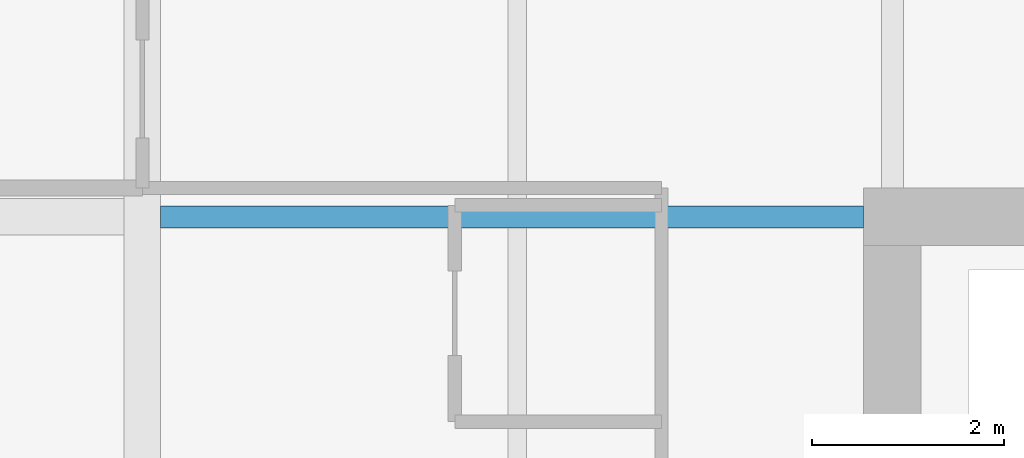
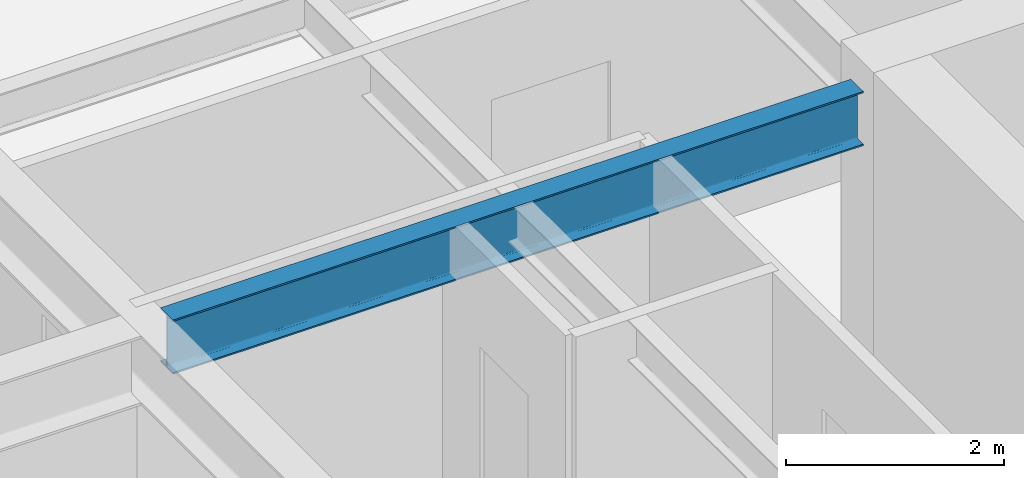
# One storey, part 18 of 37: 1 beam.
"""IFC4 building model written with IfcOpenShell, lengths in metres."""

from ifc_helpers import new_model, si_unit, direction, frame, origin, origin_2d, place, context, subcontext, project, spatial, i_section, extrude, material, material_profile, profile_set, type_object, element, save


model = new_model("IFC4")

# Units and contexts
model_context = context("Model", 3, precision=1e-05, world=origin(), true_north=direction((0.0, 1.0)))
body_context = subcontext(model_context, "Body", "Model", "MODEL_VIEW")
ifc_project = project(units=[si_unit("LENGTHUNIT", "METRE"), si_unit("AREAUNIT", "SQUARE_METRE"), si_unit("VOLUMEUNIT", "CUBIC_METRE"), si_unit("PLANEANGLEUNIT", "RADIAN"), si_unit("MASSUNIT", "GRAM", prefix="KILO")], contexts=[model_context])

# Site, building, storey
site_placement = place(None, origin())
site = spatial("IfcSite", under=ifc_project, at=site_placement, CompositionType="ELEMENT")
building_placement = place(site_placement, origin())
building = spatial("IfcBuilding", under=site, at=building_placement, Name="Drelvath Grand Hotel", CompositionType="ELEMENT")
storey_placement = place(building_placement, frame((0.0, 0.0, 78.699951171875)))
storey = spatial("IfcBuildingStorey", under=building, at=storey_placement, Name="L19", CompositionType="ELEMENT", Elevation=78.699951171875)

# Beam
ifc_material = material(Name="Steel ASTM A992 Gr 50", Category="steel")
ifc_material_profile = material_profile(ifc_material, i_section(OverallWidth=0.228271484375, OverallDepth=0.607666015625, WebThickness=0.01123046875, FlangeThickness=0.017333984375, FilletRadius=0.02001953125, at=origin_2d()), Name="W24X76")
ifc_profile_set = profile_set([ifc_material_profile], Name="Steel ASTM A992 Gr 50")
beam_type = type_object("IfcBeamType", Name="Primary Floor Girder W24X76", PredefinedType="BEAM", material=ifc_profile_set)
beam_placement = place(storey_placement, frame((-16.009765625, 35.39990234375, 2.876220703125), z_axis=(1.0, 0.0, 0.0), x_axis=(0.0, 1.0, 0.0)))
element("IfcBeam", 1, at=beam_placement, inside=storey, type_object=beam_type, Name="L19 West Core Tie F", PredefinedType="BEAM", context=body_context, shape_type="SweptSolid", body=[
    extrude(i_section(OverallWidth=0.228271484375, OverallDepth=0.607666015625, WebThickness=0.01123046875, FlangeThickness=0.017333984375, FilletRadius=0.02001953125, at=origin_2d()), origin(), (0.0, 0.0, 1.0), 7.309814453125),
])

save(model, "model.ifc")
